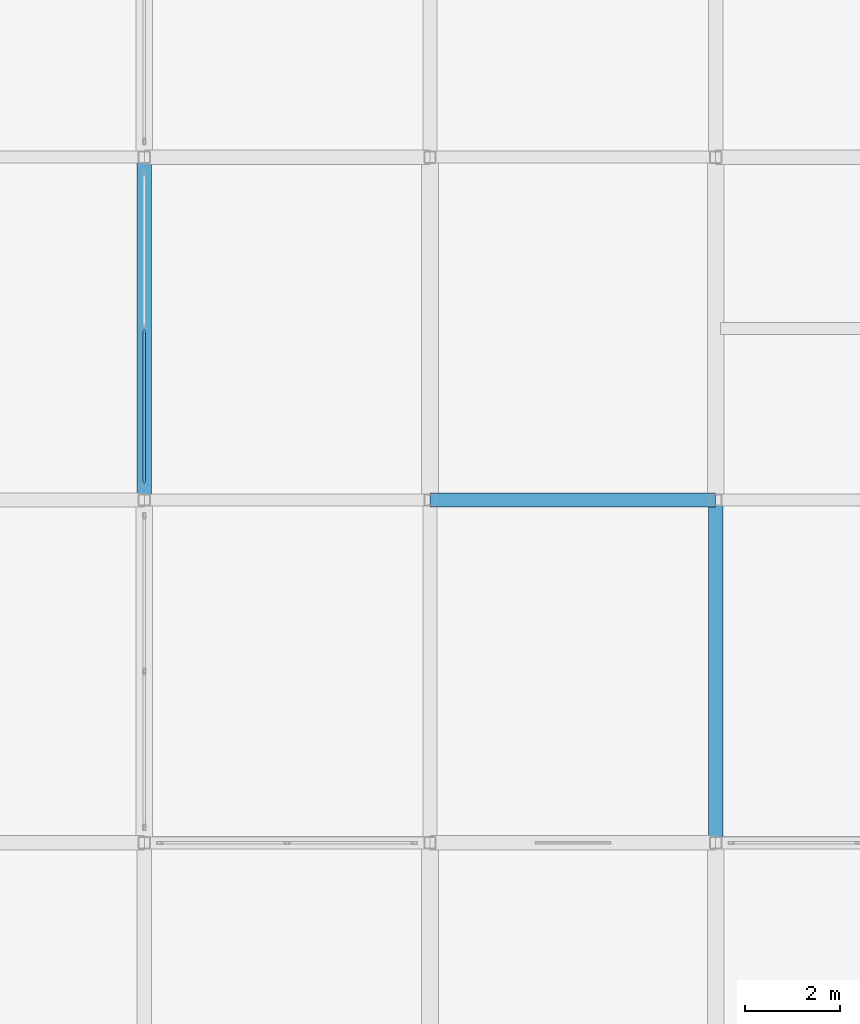
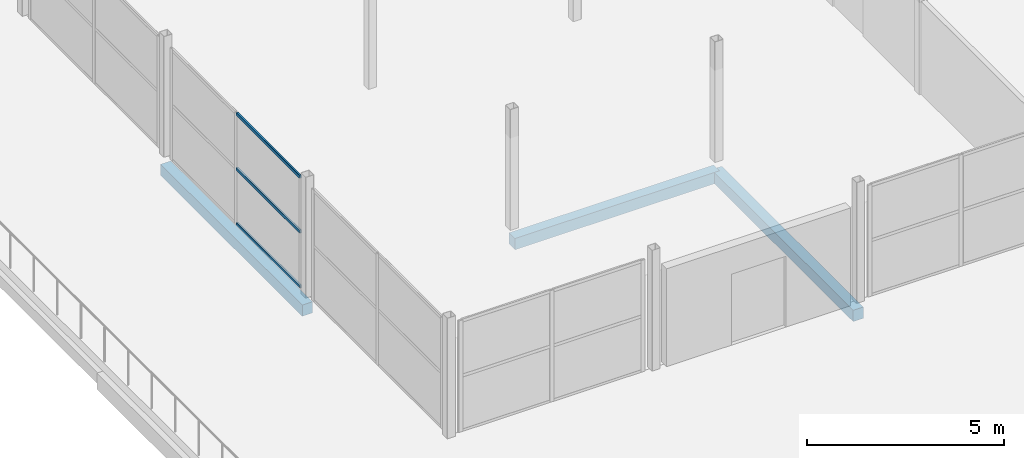
# One storey, part 32 of 239: 3 beams, 3 members, 1 element without a shape of its own.
"""IFC4 building model written with IfcOpenShell, lengths in metres."""

from ifc_helpers import new_model, si_unit, direction, frame, origin, origin_2d, place, context, subcontext, project, spatial, rectangle, hollow_rectangle, extrude, material, layer, layer_set, material_profile, profile_set, type_object, element, aggregate, save


model = new_model("IFC4")

# Units and contexts
model_context = context("Model", 3, precision=1e-05, world=origin(), true_north=direction((0.0, 1.0)))
body_context = subcontext(model_context, "Body", "Model", "MODEL_VIEW")
ifc_project = project(units=[si_unit("LENGTHUNIT", "METRE"), si_unit("AREAUNIT", "SQUARE_METRE"), si_unit("VOLUMEUNIT", "CUBIC_METRE"), si_unit("PLANEANGLEUNIT", "RADIAN"), si_unit("MASSUNIT", "GRAM", prefix="KILO")], contexts=[model_context])

# Site, building, storey
site_placement = place(None, origin())
site = spatial("IfcSite", under=ifc_project, at=site_placement, CompositionType="ELEMENT")
building_placement = place(site_placement, origin())
building = spatial("IfcBuilding", under=site, at=building_placement, Name="Dunvalen Ferry Terminal", CompositionType="ELEMENT")
storey_placement = place(building_placement, frame((0.0, 0.0, 9.840087890625)))
storey = spatial("IfcBuildingStorey", under=building, at=storey_placement, Name="L02", CompositionType="ELEMENT", Elevation=9.840087890625)

# Curtain wall, members
ifc_material_1 = material(Name="Anodised marine aluminium and solar-control glazing", Category="aluminium")
ifc_layer = layer(ifc_material_1, 0.159912109375, Name="Anodised marine aluminium and solar-control glazing")
ifc_layer_set = layer_set([ifc_layer], Name="Anodised marine aluminium and solar-control glazing")
curtain_wall_type = type_object("IfcCurtainWallType", Name="ENV-CW-SYS-10", PredefinedType="NOTDEFINED", material=ifc_layer_set)
curtain_wall_placement = place(storey_placement, origin())
curtain_wall = element("IfcCurtainWall", 1, at=curtain_wall_placement, inside=storey, type_object=curtain_wall_type, Name="L02 Curtain Wall CW-PAV-W-2", PredefinedType="NOTDEFINED")
ifc_material_2 = material(Name="Anodised marine aluminium EN AW-6063 T6", Category="aluminium")
ifc_material_profile_1 = material_profile(ifc_material_2, hollow_rectangle(XDim=0.054931640625, YDim=0.10009765625, WallThickness=0.0029296875, InnerFilletRadius=0.0029296875, OuterFilletRadius=0.006103515625, at=origin_2d()), Name="Anodised marine aluminium EN AW-6063 T6")
ifc_profile_set_1 = profile_set([ifc_material_profile_1], Name="Anodised marine aluminium EN AW-6063 T6")
member_type = type_object("IfcMemberType", Name="ENV-CW-TRN-4", PredefinedType="USERDEFINED", material=ifc_profile_set_1)
member_1_placement = place(storey_placement, frame((114.0, 21.955078125, 0.02734375), z_axis=(0.0, 1.0, 0.0), x_axis=(-1.0, 0.0, 0.0)))
member_1 = element("IfcMember", 2, at=member_1_placement, type_object=member_type, Name="CW-10 transom 1.1", ObjectType="TRANSOM", PredefinedType="USERDEFINED", context=body_context, shape_type="SweptSolid", body=[
    extrude(hollow_rectangle(XDim=0.054931640625, YDim=0.10009765625, WallThickness=0.0029296875, InnerFilletRadius=0.0029296875, OuterFilletRadius=0.006103515625, at=origin_2d()), origin(), (0.0, 0.0, 1.0), 3.217529296875),
])
member_2_placement = place(storey_placement, frame((114.0, 21.955078125, 1.72998046875), z_axis=(0.0, 1.0, 0.0), x_axis=(-1.0, 0.0, 0.0)))
member_2 = element("IfcMember", 3, at=member_2_placement, type_object=member_type, Name="CW-10 transom 1.2", ObjectType="TRANSOM", PredefinedType="USERDEFINED", context=body_context, shape_type="SweptSolid", body=[
    extrude(hollow_rectangle(XDim=0.054931640625, YDim=0.10009765625, WallThickness=0.0029296875, InnerFilletRadius=0.0029296875, OuterFilletRadius=0.006103515625, at=origin_2d()), origin(), (0.0, 0.0, 1.0), 3.217529296875),
])
member_3_placement = place(storey_placement, frame((114.0, 21.955078125, 3.432373046875), z_axis=(0.0, 1.0, 0.0), x_axis=(-1.0, 0.0, 0.0)))
member_3 = element("IfcMember", 4, at=member_3_placement, type_object=member_type, Name="CW-10 transom 1.3", ObjectType="TRANSOM", PredefinedType="USERDEFINED", context=body_context, shape_type="SweptSolid", body=[
    extrude(hollow_rectangle(XDim=0.054931640625, YDim=0.10009765625, WallThickness=0.0029296875, InnerFilletRadius=0.0029296875, OuterFilletRadius=0.006103515625, at=origin_2d()), origin(), (0.0, 0.0, 1.0), 3.217529296875),
])
aggregate(curtain_wall, [member_1, member_2, member_3])

# Beams
ifc_material_3 = material(Name="Concrete C40/50", Category="concrete")
ifc_material_profile_2 = material_profile(ifc_material_3, rectangle(XDim=0.300048828125, YDim=0.35009765625, at=origin_2d()), Name="Concrete C40/50")
ifc_profile_set_2 = profile_set([ifc_material_profile_2], Name="Concrete C40/50")
beam_type = type_object("IfcBeamType", Name="STR-BM-RCL350", PredefinedType="LINTEL", material=ifc_profile_set_2)
beam_1_placement = place(storey_placement, frame((120.0, 21.60009765625, -0.455078125), z_axis=(1.0, 0.0, 0.0), x_axis=(0.0, 1.0, 0.0)))
element("IfcBeam", 5, at=beam_1_placement, inside=storey, type_object=beam_type, Name="L02 V4 Primary Beam X-030", PredefinedType="LINTEL", context=body_context, shape_type="SweptSolid", body=[
    extrude(rectangle(XDim=0.300048828125, YDim=0.35009765625, at=origin_2d()), origin(), (0.0, 0.0, 1.0), 6.0),
])
beam_2_placement = place(storey_placement, frame((114.0, 21.60009765625, -0.455078125), z_axis=(0.0, 1.0, 0.0), x_axis=(-1.0, 0.0, 0.0)))
element("IfcBeam", 6, at=beam_2_placement, inside=storey, type_object=beam_type, Name="L02 V4 Primary Girder Y-072", PredefinedType="LINTEL", context=body_context, shape_type="SweptSolid", body=[
    extrude(rectangle(XDim=0.300048828125, YDim=0.35009765625, at=origin_2d()), origin(), (0.0, 0.0, 1.0), 7.199951171875),
])
beam_3_placement = place(storey_placement, frame((126.0, 14.39990234375, -0.455078125), z_axis=(0.0, 1.0, 0.0), x_axis=(-1.0, 0.0, 0.0)))
element("IfcBeam", 7, at=beam_3_placement, inside=storey, type_object=beam_type, Name="L02 V4 Primary Girder Y-082", PredefinedType="LINTEL", context=body_context, shape_type="SweptSolid", body=[
    extrude(rectangle(XDim=0.300048828125, YDim=0.35009765625, at=origin_2d()), origin(), (0.0, 0.0, 1.0), 7.2001953125),
])

save(model, "model.ifc")
